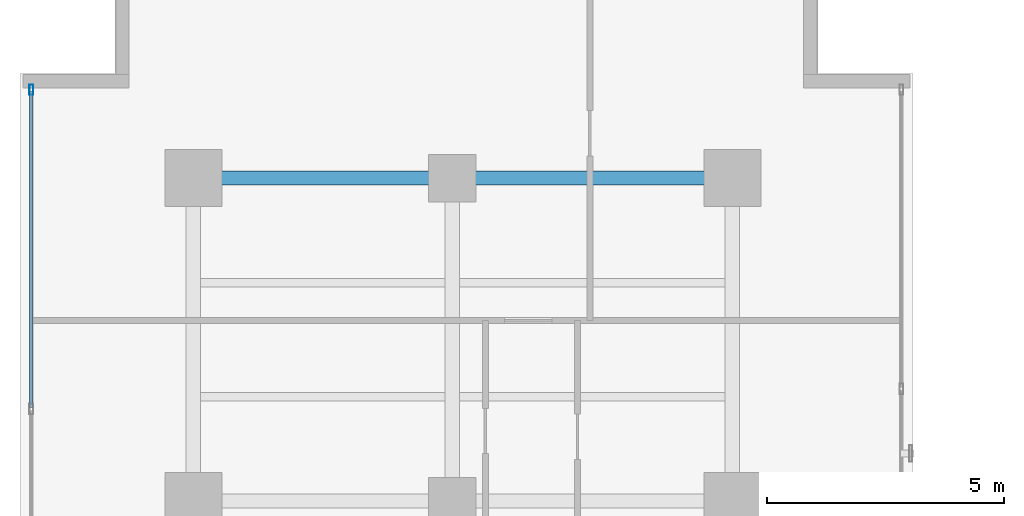
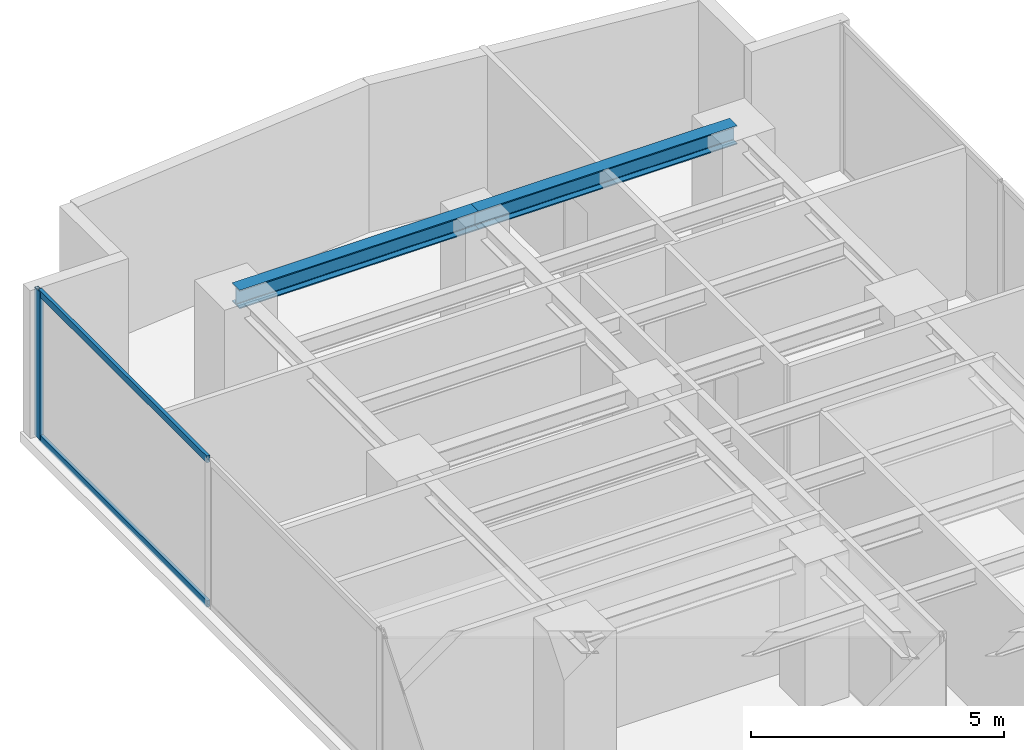
# One storey, part 16 of 24: 3 members, 2 beams, 1 element without a shape of its own.
"""IFC4 building model written with IfcOpenShell, lengths in metres."""

import ifcopenshell
import ifcopenshell.guid

model = None  # the IFC model being written
_history = None  # IfcOwnerHistory: only IFC2X3 demands one
_inside = {}  # id of a spatial element -> (the spatial element, [elements in it])
_under = {}  # id of a project, library or spatial element -> (it, [spatial elements below it])
_declared = {}  # id of a project -> (the project, [libraries it declares])
_typed = {}  # id of a type object -> (the type object, [elements of that type])
_made_of = {}  # id of a material, layer set ... -> (it, [elements and type objects made of it])


def new_model(schema):
    """Start an empty IFC model of exactly this schema.

    Asked for "IFC4X3", IfcOpenShell would pick the latest addendum, in which some entities
    have other attributes; the version numbers below select the first issue.
    IFC2X3 requires an IfcOwnerHistory on every rooted entity: one is made here for all.
    """
    global model, _history
    if schema == "IFC4X3":
        model = ifcopenshell.file(schema_version=(4, 3, 0, 0))
    else:
        model = ifcopenshell.file(schema=schema)
    _inside.clear()
    _under.clear()
    _declared.clear()
    _typed.clear()
    _made_of.clear()
    _history = None
    if model.schema == "IFC2X3":
        org = make("IfcOrganization", Name="unknown")
        user = make(
            "IfcPersonAndOrganization",
            ThePerson=make("IfcPerson", FamilyName="unknown"),
            TheOrganization=org,
        )
        app = make(
            "IfcApplication",
            ApplicationDeveloper=org,
            Version="unknown",
            ApplicationFullName="unknown",
            ApplicationIdentifier="unknown",
        )
        _history = make(
            "IfcOwnerHistory",
            OwningUser=user,
            OwningApplication=app,
            ChangeAction="ADDED",
            CreationDate=0,
        )
    return model


def make(cls, **values):
    """One entity of the class cls with the attributes given. An attribute that is None is left unset."""
    return model.create_entity(
        cls, **{name: value for name, value in values.items() if value is not None}
    )


def rooted(cls, **values):
    """An entity with a GlobalId (a new one), such as an element, a storey or a relation."""
    return make(cls, GlobalId=ifcopenshell.guid.new(), OwnerHistory=_history, **values)


def si_unit(unit_type, name, prefix=None):
    """IfcSIUnit, for example si_unit("LENGTHUNIT", "METRE", prefix="MILLI")."""
    return make("IfcSIUnit", UnitType=unit_type, Prefix=prefix, Name=name)


def assignment(units):
    """IfcUnitAssignment: the units of a project."""
    return None if units is None else make("IfcUnitAssignment", Units=units)


def point(xyz):
    """IfcCartesianPoint."""
    return None if xyz is None else make("IfcCartesianPoint", Coordinates=xyz)


def direction(xyz):
    """IfcDirection."""
    return None if xyz is None else make("IfcDirection", DirectionRatios=xyz)


def frame(location, z_axis=None, x_axis=None):
    """IfcAxis2Placement3D, a coordinate frame: its origin and axes. An axis left out is left unset."""
    return make(
        "IfcAxis2Placement3D",
        Location=point(location),
        Axis=direction(z_axis),
        RefDirection=direction(x_axis),
    )


def frame_2d(location, x_axis=None):
    """IfcAxis2Placement2D, a coordinate frame in the plane: its origin and x axis."""
    return make(
        "IfcAxis2Placement2D", Location=point(location), RefDirection=direction(x_axis)
    )


def origin():
    """The frame at (0, 0, 0) with its axes left unset."""
    return frame((0.0, 0.0, 0.0))


def origin_with_axes():
    """The frame at (0, 0, 0) with the z axis (0, 0, 1) and the x axis (1, 0, 0) written out."""
    return frame((0.0, 0.0, 0.0), z_axis=(0.0, 0.0, 1.0), x_axis=(1.0, 0.0, 0.0))


def origin_2d():
    """The frame at (0, 0) in the plane with its x axis left unset."""
    return frame_2d((0.0, 0.0))


def place(relative_to, where):
    """IfcLocalPlacement: puts the frame where relative to a parent placement (None: the world)."""
    return make(
        "IfcLocalPlacement", PlacementRelTo=relative_to, RelativePlacement=where
    )


def context(
    kind, dimensions, precision=None, world=None, true_north=None, identifier=None
):
    """IfcGeometricRepresentationContext, for example the 3D "Model" context."""
    return make(
        "IfcGeometricRepresentationContext",
        ContextIdentifier=identifier,
        ContextType=kind,
        CoordinateSpaceDimension=dimensions,
        Precision=precision,
        WorldCoordinateSystem=world,
        TrueNorth=true_north,
    )


def subcontext(parent, identifier, kind, view, scale=None):
    """IfcGeometricRepresentationSubContext, for example "Body" below "Model"."""
    return make(
        "IfcGeometricRepresentationSubContext",
        ContextIdentifier=identifier,
        ContextType=kind,
        ParentContext=parent,
        TargetScale=scale,
        TargetView=view,
    )


def project(units=None, contexts=None):
    """IfcProject with its units and contexts."""
    return rooted(
        "IfcProject",
        Name="project",
        RepresentationContexts=contexts,
        UnitsInContext=assignment(units),
    )


def spatial(cls, under=None, at=None, **own):
    """A site, building, storey or space (cls), placed at a placement, below another one or the project."""
    s = rooted(cls, ObjectPlacement=at, **own)
    if under is not None:
        _under.setdefault(under.id(), (under, []))[1].append(s)
    return s


def profile(cls, at=None, kind="AREA", **sizes):
    """A parametric profile (cls). Its sizes go by their IFC names, for example OverallWidth=200.0."""
    return make(cls, ProfileType=kind, Position=at, **sizes)


def hollow_rectangle(**sizes):
    """IfcRectangleHollowProfileDef."""
    return profile("IfcRectangleHollowProfileDef", **sizes)


def i_section(**sizes):
    """IfcIShapeProfileDef."""
    return profile("IfcIShapeProfileDef", **sizes)


def extrude(swept, where, along, depth):
    """IfcExtrudedAreaSolid: the profile swept, set in the frame where, extruded along a direction by depth."""
    return make(
        "IfcExtrudedAreaSolid",
        SweptArea=swept,
        Position=where,
        ExtrudedDirection=direction(along),
        Depth=depth,
    )


def shape(context_of_items, identifier, shape_type, items):
    """IfcShapeRepresentation: the items that make up one representation, for example the "Body"."""
    return make(
        "IfcShapeRepresentation",
        ContextOfItems=context_of_items,
        RepresentationIdentifier=identifier,
        RepresentationType=shape_type,
        Items=items,
    )


def source(mapping_origin, context_of_items, identifier, shape_type, items):
    """IfcRepresentationMap: a shape defined once, which mapped items show again and again."""
    return make(
        "IfcRepresentationMap",
        MappingOrigin=mapping_origin,
        MappedRepresentation=shape(context_of_items, identifier, shape_type, items),
    )


def transform(
    local_origin,
    x_axis=None,
    y_axis=None,
    z_axis=None,
    scale=None,
    scale2=None,
    scale3=None,
    uniform=True,
):
    """IfcCartesianTransformationOperator3D, or its non-uniform kind. x_axis, y_axis, z_axis: its Axis1, 2, 3."""
    if uniform:
        return make(
            "IfcCartesianTransformationOperator3D",
            Axis1=direction(x_axis),
            Axis2=direction(y_axis),
            LocalOrigin=point(local_origin),
            Scale=scale,
            Axis3=direction(z_axis),
        )
    return make(
        "IfcCartesianTransformationOperator3DnonUniform",
        Axis1=direction(x_axis),
        Axis2=direction(y_axis),
        LocalOrigin=point(local_origin),
        Scale=scale,
        Axis3=direction(z_axis),
        Scale2=scale2,
        Scale3=scale3,
    )


def mapped(mapping_source, mapping_target):
    """IfcMappedItem: shows the shape of a source again, moved by a transform."""
    return make(
        "IfcMappedItem", MappingSource=mapping_source, MappingTarget=mapping_target
    )


def material(Name=None, Category=None):
    """IfcMaterial."""
    return make("IfcMaterial", Name=Name, Category=Category)


def layer(
    of_material, thickness, ventilated=None, Name=None, Category=None, Priority=None
):
    """IfcMaterialLayer: one layer of a wall or slab, of a material (None: an air gap)."""
    return make(
        "IfcMaterialLayer",
        Material=of_material,
        LayerThickness=thickness,
        IsVentilated=ventilated,
        Name=Name,
        Category=Category,
        Priority=Priority,
    )


def layer_set(layers, Name=None):
    """IfcMaterialLayerSet."""
    return make("IfcMaterialLayerSet", MaterialLayers=layers, LayerSetName=Name)


def material_profile(
    of_material, cross_section, Name=None, Category=None, Priority=None
):
    """IfcMaterialProfile: a cross section and its material."""
    return make(
        "IfcMaterialProfile",
        Name=Name,
        Material=of_material,
        Profile=cross_section,
        Priority=Priority,
        Category=Category,
    )


def profile_set(profiles, Name=None, composite=None):
    """IfcMaterialProfileSet."""
    return make(
        "IfcMaterialProfileSet",
        Name=Name,
        MaterialProfiles=profiles,
        CompositeProfile=composite,
    )


def made_of(thing, what):
    """Note that an element or type object is made of a material, layer set ...; save() writes the relation."""
    if what is not None:
        _made_of.setdefault(what.id(), (what, []))[1].append(thing)
    return thing


def type_object(cls, material=None, **own):
    """A type object (cls), such as IfcWallType, which elements share."""
    return made_of(rooted(cls, **own), material)


def element(
    cls,
    number,
    at=None,
    inside=None,
    cuts=None,
    type_object=None,
    material=None,
    context=None,
    identifier="Body",
    shape_type=None,
    held_by="IfcProductDefinitionShape",
    body=None,
    shapes=None,
    **own,
):
    """One element of the class cls, such as IfcWall. Its Tag is "e" and its number.

    at: its placement. inside: the storey or other place that contains it. cuts: it is an
    opening in that element (IfcRelVoidsElement). A single representation is given by context,
    identifier, shape_type and body (its items); several are given by shapes. held_by: the class
    of the entity that holds the representations. save() writes the other relations.
    """
    e = rooted(cls, Tag="e%d" % number, ObjectPlacement=at, **own)
    if body is not None:
        shapes = [shape(context, identifier, shape_type, body)]
    if shapes is not None:
        e.Representation = make(held_by, Representations=shapes)
    if inside is not None:
        _inside.setdefault(inside.id(), (inside, []))[1].append(e)
    if cuts is not None:
        rooted(
            "IfcRelVoidsElement", RelatingBuildingElement=cuts, RelatedOpeningElement=e
        )
    if type_object is not None:
        _typed.setdefault(type_object.id(), (type_object, []))[1].append(e)
    return made_of(e, material)


def aggregate(whole, parts):
    """IfcRelAggregates: a whole, such as a stair, and the parts it consists of."""
    return rooted("IfcRelAggregates", RelatingObject=whole, RelatedObjects=parts)


def save(model, path):
    """Write the relations noted so far, then the file.

    IfcRelAggregates (storeys below a building ...), IfcRelContainedInSpatialStructure (elements
    in a storey), IfcRelDefinesByType, IfcRelAssociatesMaterial and IfcRelDeclares: one each for
    every whole, place, type object, material and project.
    """
    for whole, parts in _under.values():
        aggregate(whole, parts)
    for where, things in _inside.values():
        rooted(
            "IfcRelContainedInSpatialStructure",
            RelatedElements=things,
            RelatingStructure=where,
        )
    for kind, things in _typed.values():
        rooted("IfcRelDefinesByType", RelatedObjects=things, RelatingType=kind)
    for what, things in _made_of.values():
        rooted("IfcRelAssociatesMaterial", RelatedObjects=things, RelatingMaterial=what)
    for by, libraries in _declared.values():
        rooted("IfcRelDeclares", RelatingContext=by, RelatedDefinitions=libraries)
    model.write(path)


model = new_model("IFC4")

# Units and contexts
model_context = context("Model", 3, precision=1e-05, world=origin(), true_north=direction((0.0, 1.0)))
body_context = subcontext(model_context, "Body", "Model", "MODEL_VIEW")
ifc_project = project(units=[si_unit("LENGTHUNIT", "METRE"), si_unit("AREAUNIT", "SQUARE_METRE"), si_unit("VOLUMEUNIT", "CUBIC_METRE"), si_unit("PLANEANGLEUNIT", "RADIAN"), si_unit("MASSUNIT", "GRAM", prefix="KILO")], contexts=[model_context])

# Site, building, storey
site_placement = place(None, origin())
site = spatial("IfcSite", under=ifc_project, at=site_placement, CompositionType="ELEMENT")
building_placement = place(site_placement, origin())
building = spatial("IfcBuilding", under=site, at=building_placement, Name="Kolvaren Waterfront Exchange", CompositionType="ELEMENT")
storey_placement = place(building_placement, frame((0.0, 0.0, 153.800048828125)))
storey = spatial("IfcBuildingStorey", under=building, at=storey_placement, Name="L39", CompositionType="ELEMENT", Elevation=153.800048828125)

# Beams
ifc_material_1 = material(Name="Steel S355", Category="steel")
ifc_material_profile_1 = material_profile(ifc_material_1, i_section(OverallWidth=0.300048828125, OverallDepth=0.449951171875, WebThickness=0.013916015625, FlangeThickness=0.02587890625, FilletRadius=0.027099609375, at=origin_2d()), Name="HEB450")
ifc_profile_set_1 = profile_set([ifc_material_profile_1], Name="Steel S355")
beam_type = type_object("IfcBeamType", Name="STR-BM-HEB450", PredefinedType="BEAM", material=ifc_profile_set_1)
beam_1_placement = place(storey_placement, frame((7.449951171875, 44.60009765625, 3.3349609375), z_axis=(1.0, 0.0, 0.0), x_axis=(0.0, 1.0, 0.0)))
element("IfcBeam", 1, at=beam_1_placement, inside=storey, type_object=beam_type, Name="L39 north-arm girder 4A", PredefinedType="BEAM", context=body_context, shape_type="SweptSolid", body=[
    extrude(i_section(OverallWidth=0.300048828125, OverallDepth=0.449951171875, WebThickness=0.013916015625, FlangeThickness=0.02587890625, FilletRadius=0.027099609375, at=origin_2d()), origin(), (0.0, 0.0, 1.0), 5.449951171875),
])
beam_2_placement = place(storey_placement, frame((12.89990234375, 44.60009765625, 3.3349609375), z_axis=(1.0, 0.0, 0.0), x_axis=(0.0, 1.0, 0.0)))
element("IfcBeam", 2, at=beam_2_placement, inside=storey, type_object=beam_type, Name="L39 north-arm girder 4B", PredefinedType="BEAM", context=body_context, shape_type="SweptSolid", body=[
    extrude(i_section(OverallWidth=0.300048828125, OverallDepth=0.449951171875, WebThickness=0.013916015625, FlangeThickness=0.02587890625, FilletRadius=0.027099609375, at=origin_2d()), origin(), (0.0, 0.0, 1.0), 5.900146484375),
])

# Curtain wall, members
ifc_material_2 = material(Name="Anodised aluminium 6063-T6", Category="aluminium")
ifc_layer = layer(ifc_material_2, 0.219970703125, Name="Anodised aluminium 6063-T6")
ifc_layer_set = layer_set([ifc_layer], Name="Anodised aluminium 6063-T6")
curtain_wall_type = type_object("IfcCurtainWallType", Name="ARC-CW-SYS2", PredefinedType="USERDEFINED", material=ifc_layer_set)
curtain_wall_placement = place(storey_placement, origin())
curtain_wall = element("IfcCurtainWall", 3, at=curtain_wall_placement, inside=storey, type_object=curtain_wall_type, Name="L39 stick curtain wall CW2 (CW-L39-W)", ObjectType="STICK CURTAIN WALL", PredefinedType="USERDEFINED")
ifc_material_profile_2 = material_profile(ifc_material_2, hollow_rectangle(XDim=0.080078125, YDim=0.219970703125, WallThickness=0.0048828125, at=origin_2d()), Name="ALU-MUL-220x80x5")
ifc_profile_set_2 = profile_set([ifc_material_profile_2], Name="Anodised aluminium 6063-T6")
member_type_1 = type_object("IfcMemberType", Name="ARC-CWM-220", PredefinedType="MULLION", material=ifc_profile_set_2)
shared_shape_1 = source(origin_with_axes(), body_context, "Body", "SweptSolid", [
    extrude(hollow_rectangle(XDim=0.080078125, YDim=0.219970703125, WallThickness=0.0048828125, at=origin_2d()), origin(), (0.0, 0.0, 1.0), 3.56005859375),
])
member_1_placement = place(storey_placement, frame((4.0400390625, 46.4599609375, 0.0), z_axis=(0.0, 0.0, 1.0), x_axis=(-1.0, 0.0, 0.0)))
member_1 = element("IfcMember", 4, at=member_1_placement, type_object=member_type_1, Name="CW2 mullion 7", PredefinedType="MULLION", context=body_context, shape_type="MappedRepresentation", body=[
    mapped(shared_shape_1, transform((0.0, 0.0, 0.0), x_axis=(1.0, 0.0, 0.0), y_axis=(0.0, 1.0, 0.0), z_axis=(0.0, 0.0, 1.0), scale=1.0)),
])
ifc_material_profile_3 = material_profile(ifc_material_2, hollow_rectangle(XDim=0.074951171875, YDim=0.159912109375, WallThickness=0.00439453125, at=origin_2d()), Name="ALU-TRN-160x75x4.5")
ifc_profile_set_3 = profile_set([ifc_material_profile_3], Name="Anodised aluminium 6063-T6")
member_type_2 = type_object("IfcMemberType", Name="ARC-CWT-160", PredefinedType="USERDEFINED", material=ifc_profile_set_3)
shared_shape_2 = source(origin_with_axes(), body_context, "Body", "SweptSolid", [
    extrude(hollow_rectangle(XDim=0.074951171875, YDim=0.159912109375, WallThickness=0.00439453125, at=origin_2d()), origin(), (0.0, 0.0, 1.0), 6.646484375),
])
member_2_placement = place(storey_placement, frame((4.0400390625, 39.7734375, 0.037353515625), z_axis=(0.0, 1.0, 0.0), x_axis=(-1.0, 0.0, 0.0)))
member_2 = element("IfcMember", 5, at=member_2_placement, type_object=member_type_2, Name="CW2 transom 6.1", ObjectType="TRANSOM", PredefinedType="USERDEFINED", context=body_context, shape_type="MappedRepresentation", body=[
    mapped(shared_shape_2, transform((0.0, 0.0, 0.0), x_axis=(1.0, 0.0, 0.0), y_axis=(0.0, 1.0, 0.0), z_axis=(0.0, 0.0, 1.0), scale=1.0)),
])
member_3_placement = place(storey_placement, frame((4.0400390625, 39.7734375, 3.5224609375), z_axis=(0.0, 1.0, 0.0), x_axis=(-1.0, 0.0, 0.0)))
member_3 = element("IfcMember", 6, at=member_3_placement, type_object=member_type_2, Name="CW2 transom 6.2", ObjectType="TRANSOM", PredefinedType="USERDEFINED", context=body_context, shape_type="MappedRepresentation", body=[
    mapped(shared_shape_2, transform((0.0, 0.0, 0.0), x_axis=(1.0, 0.0, 0.0), y_axis=(0.0, 1.0, 0.0), z_axis=(0.0, 0.0, 1.0), scale=1.0)),
])
aggregate(curtain_wall, [member_1, member_2, member_3])

save(model, "model.ifc")
